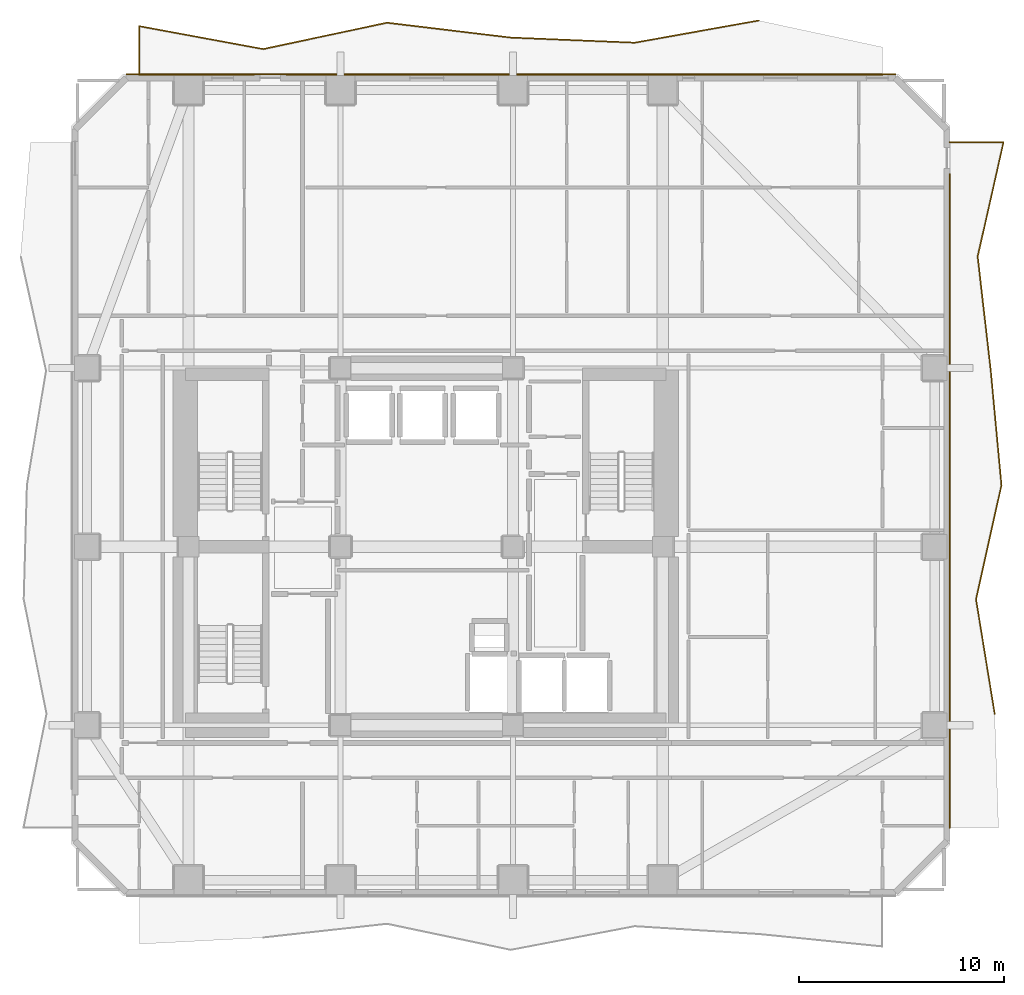
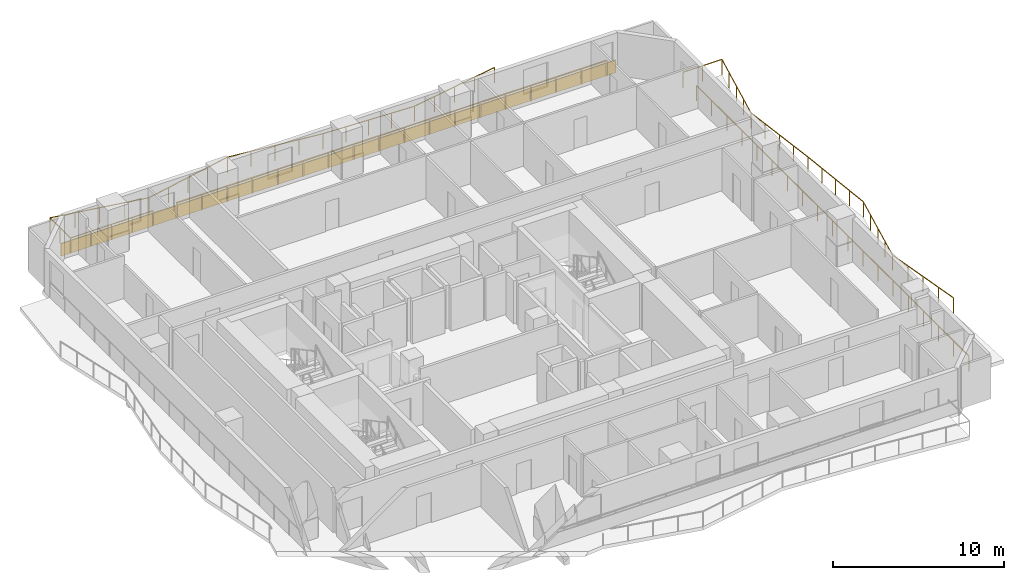
# One storey, part 11 of 11: 4 railings, 1 covering.
"""IFC4 building model written with IfcOpenShell, lengths in metres."""

from ifc_helpers import new_model, si_unit, direction, frame, frame_2d, origin, origin_2d, place, context, subcontext, project, spatial, rectangle, extrude, material, layer, layer_set, type_object, element, save


model = new_model("IFC4")

# Units and contexts
model_context = context("Model", 3, precision=1e-05, world=origin(), true_north=direction((0.0, 1.0)))
body_context = subcontext(model_context, "Body", "Model", "MODEL_VIEW")
ifc_project = project(units=[si_unit("LENGTHUNIT", "METRE"), si_unit("AREAUNIT", "SQUARE_METRE"), si_unit("VOLUMEUNIT", "CUBIC_METRE"), si_unit("PLANEANGLEUNIT", "RADIAN"), si_unit("MASSUNIT", "GRAM", prefix="KILO")], contexts=[model_context])

# Site, building, storey
site_placement = place(None, origin())
site = spatial("IfcSite", under=ifc_project, at=site_placement, CompositionType="ELEMENT")
building_placement = place(site_placement, origin())
building = spatial("IfcBuilding", under=site, at=building_placement, Name="Solanera Arch Residences", CompositionType="ELEMENT")
storey_placement = place(building_placement, frame((0.0, 0.0, 65.159912109375)))
storey = spatial("IfcBuildingStorey", under=building, at=storey_placement, Name="L18", CompositionType="ELEMENT", Elevation=65.159912109375)

# Railings
ifc_material_1 = material(Name="Steel S355 (ASTM A992 / A572 Grade 50)", Category="steel")
railing_type = type_object("IfcRailingType", Name="Balustrade Railing BL-1100", PredefinedType="BALUSTRADE", material=ifc_material_1)
railing_1_placement = place(storey_placement, frame((41.1669921875, 56.33203125, 0.0)))
element("IfcRailing", 1, at=railing_1_placement, inside=storey, type_object=railing_type, Name="L18 N Balcony Balustrade 1", PredefinedType="BALUSTRADE", context=body_context, shape_type="SweptSolid", body=[
    extrude(rectangle(XDim=0.048095703125, YDim=0.048095703125, at=origin_2d()), frame((0.0, 0.0, 1.09619140625), z_axis=(-0.984382002136, -0.176045658484, 0.0), x_axis=(0.176045658484, -0.984382002136, 0.0)), (0.0, 0.0, 1.0), 6.129638671875),
    extrude(rectangle(XDim=0.048095703125, YDim=0.048095703125, at=origin_2d()), frame((-6.033935546875, -1.0791015625, 1.09619140625), z_axis=(-0.999155836472, 0.041080584754, 0.0), x_axis=(-0.041080584754, -0.999155836472, 0.0)), (0.0, 0.0, 1.0), 6.0380859375),
    extrude(rectangle(XDim=0.048095703125, YDim=0.048095703125, at=origin_2d()), frame((-12.06689453125, -0.8310546875, 1.09619140625), z_axis=(-0.992874176617, 0.119167400771, 0.0), x_axis=(-0.119167400771, -0.992874176617, 0.0)), (0.0, 0.0, 1.0), 6.076416015625),
    extrude(rectangle(XDim=0.048095703125, YDim=0.048095703125, at=origin_2d()), frame((-18.10009765625, -0.10693359375, 1.09619140625), z_axis=(-0.97806168867, -0.208315465473, 0.0), x_axis=(0.208315465473, -0.97806168867, 0.0)), (0.0, 0.0, 1.0), 6.169189453125),
    extrude(rectangle(XDim=0.048095703125, YDim=0.048095703125, at=origin_2d()), frame((-24.134033203125, -1.39208984375, 1.09619140625), z_axis=(-0.983289920154, 0.182046513079, 0.0), x_axis=(-0.182046513079, -0.983289920154, 0.0)), (0.0, 0.0, 1.0), 6.135498046875),
    extrude(rectangle(XDim=0.048095703125, YDim=0.048095703125, at=origin_2d()), frame((-30.1669921875, -0.275146484375, 1.09619140625), z_axis=(0.0, -1.0, 0.0), x_axis=(1.0, 0.0, 0.0)), (0.0, 0.0, 1.0), 2.376953125),
    extrude(rectangle(XDim=0.048095703125, YDim=0.048095703125, at=origin_2d()), frame((-30.1669921875, -2.652099609375, 1.09619140625), z_axis=(1.0, 0.0, 0.0), x_axis=(0.0, 1.0, 0.0)), (0.0, 0.0, 1.0), 5.569091796875),
    extrude(rectangle(XDim=0.0419921875, YDim=0.0419921875, at=origin_2d()), origin(), (0.0, 0.0, 1.0), 1.072021484375),
    extrude(rectangle(XDim=0.0419921875, YDim=0.0419921875, at=origin_2d()), frame((-1.508544921875, -0.269775390625, 0.0)), (0.0, 0.0, 1.0), 1.072021484375),
    extrude(rectangle(XDim=0.0419921875, YDim=0.0419921875, at=origin_2d()), frame((-3.01708984375, -0.53955078125, 0.0)), (0.0, 0.0, 1.0), 1.072021484375),
    extrude(rectangle(XDim=0.0419921875, YDim=0.0419921875, at=origin_2d()), frame((-4.525390625, -0.809326171875, 0.0)), (0.0, 0.0, 1.0), 1.072021484375),
    extrude(rectangle(XDim=0.0419921875, YDim=0.0419921875, at=origin_2d()), frame((-6.033935546875, -1.0791015625, 0.0)), (0.0, 0.0, 1.0), 1.072021484375),
    extrude(rectangle(XDim=0.0419921875, YDim=0.0419921875, at=origin_2d()), frame((-7.542236328125, -1.01708984375, 0.0)), (0.0, 0.0, 1.0), 1.072021484375),
    extrude(rectangle(XDim=0.0419921875, YDim=0.0419921875, at=origin_2d()), frame((-9.05029296875, -0.955078125, 0.0)), (0.0, 0.0, 1.0), 1.072021484375),
    extrude(rectangle(XDim=0.0419921875, YDim=0.0419921875, at=origin_2d()), frame((-10.55859375, -0.89306640625, 0.0)), (0.0, 0.0, 1.0), 1.072021484375),
    extrude(rectangle(XDim=0.0419921875, YDim=0.0419921875, at=origin_2d()), frame((-12.06689453125, -0.8310546875, 0.0)), (0.0, 0.0, 1.0), 1.072021484375),
    extrude(rectangle(XDim=0.0419921875, YDim=0.0419921875, at=origin_2d()), frame((-13.5751953125, -0.64990234375, 0.0)), (0.0, 0.0, 1.0), 1.072021484375),
    extrude(rectangle(XDim=0.0419921875, YDim=0.0419921875, at=origin_2d()), frame((-15.08349609375, -0.468994140625, 0.0)), (0.0, 0.0, 1.0), 1.072021484375),
    extrude(rectangle(XDim=0.0419921875, YDim=0.0419921875, at=origin_2d()), frame((-16.591796875, -0.2880859375, 0.0)), (0.0, 0.0, 1.0), 1.072021484375),
    extrude(rectangle(XDim=0.0419921875, YDim=0.0419921875, at=origin_2d()), frame((-18.10009765625, -0.10693359375, 0.0)), (0.0, 0.0, 1.0), 1.072021484375),
    extrude(rectangle(XDim=0.0419921875, YDim=0.0419921875, at=origin_2d()), frame((-19.608642578125, -0.42822265625, 0.0)), (0.0, 0.0, 1.0), 1.072021484375),
    extrude(rectangle(XDim=0.0419921875, YDim=0.0419921875, at=origin_2d()), frame((-21.1171875, -0.74951171875, 0.0)), (0.0, 0.0, 1.0), 1.072021484375),
    extrude(rectangle(XDim=0.0419921875, YDim=0.0419921875, at=origin_2d()), frame((-22.62548828125, -1.07080078125, 0.0)), (0.0, 0.0, 1.0), 1.072021484375),
    extrude(rectangle(XDim=0.0419921875, YDim=0.0419921875, at=origin_2d()), frame((-24.134033203125, -1.39208984375, 0.0)), (0.0, 0.0, 1.0), 1.072021484375),
    extrude(rectangle(XDim=0.0419921875, YDim=0.0419921875, at=origin_2d()), frame((-25.642333984375, -1.11279296875, 0.0)), (0.0, 0.0, 1.0), 1.072021484375),
    extrude(rectangle(XDim=0.0419921875, YDim=0.0419921875, at=origin_2d()), frame((-27.150390625, -0.83349609375, 0.0)), (0.0, 0.0, 1.0), 1.072021484375),
    extrude(rectangle(XDim=0.0419921875, YDim=0.0419921875, at=origin_2d()), frame((-28.65869140625, -0.554443359375, 0.0)), (0.0, 0.0, 1.0), 1.072021484375),
    extrude(rectangle(XDim=0.0419921875, YDim=0.0419921875, at=origin_2d()), frame((-30.1669921875, -0.275146484375, 0.0)), (0.0, 0.0, 1.0), 1.072021484375),
    extrude(rectangle(XDim=0.0419921875, YDim=0.0419921875, at=origin_2d()), frame((-30.1669921875, -1.463623046875, 0.0)), (0.0, 0.0, 1.0), 1.072021484375),
    extrude(rectangle(XDim=0.0419921875, YDim=0.0419921875, at=origin_2d()), frame((-30.1669921875, -2.652099609375, 0.0)), (0.0, 0.0, 1.0), 1.072021484375),
    extrude(rectangle(XDim=0.0419921875, YDim=0.0419921875, at=origin_2d()), frame((-28.774658203125, -2.652099609375, 0.0)), (0.0, 0.0, 1.0), 1.072021484375),
    extrude(rectangle(XDim=0.0419921875, YDim=0.0419921875, at=origin_2d()), frame((-27.38232421875, -2.652099609375, 0.0)), (0.0, 0.0, 1.0), 1.072021484375),
    extrude(rectangle(XDim=0.0419921875, YDim=0.0419921875, at=origin_2d()), frame((-25.990234375, -2.652099609375, 0.0)), (0.0, 0.0, 1.0), 1.072021484375),
    extrude(rectangle(XDim=0.0419921875, YDim=0.0419921875, at=origin_2d()), frame((-24.597900390625, -2.652099609375, 0.0)), (0.0, 0.0, 1.0), 1.072021484375),
])
railing_2_placement = place(storey_placement, frame((18.1689453125, 53.679931640625, 0.0)))
element("IfcRailing", 2, at=railing_2_placement, inside=storey, type_object=railing_type, Name="L18 N Balcony Balustrade 2", PredefinedType="BALUSTRADE", context=body_context, shape_type="SweptSolid", body=[
    extrude(rectangle(XDim=0.048095703125, YDim=0.048095703125, at=origin_2d()), frame((0.0, 0.0, 1.09619140625), z_axis=(1.0, 0.0, 0.0), x_axis=(0.0, 1.0, 0.0)), (0.0, 0.0, 1.0), 29.031005859375),
    extrude(rectangle(XDim=0.0419921875, YDim=0.0419921875, at=origin_2d()), origin(), (0.0, 0.0, 1.0), 1.072021484375),
    extrude(rectangle(XDim=0.0419921875, YDim=0.0419921875, at=origin_2d()), frame((1.707763671875, 0.0, 0.0)), (0.0, 0.0, 1.0), 1.072021484375),
    extrude(rectangle(XDim=0.0419921875, YDim=0.0419921875, at=origin_2d()), frame((3.41552734375, 0.0, 0.0)), (0.0, 0.0, 1.0), 1.072021484375),
    extrude(rectangle(XDim=0.0419921875, YDim=0.0419921875, at=origin_2d()), frame((5.123046875, 0.0, 0.0)), (0.0, 0.0, 1.0), 1.072021484375),
    extrude(rectangle(XDim=0.0419921875, YDim=0.0419921875, at=origin_2d()), frame((6.830810546875, 0.0, 0.0)), (0.0, 0.0, 1.0), 1.072021484375),
    extrude(rectangle(XDim=0.0419921875, YDim=0.0419921875, at=origin_2d()), frame((8.53857421875, 0.0, 0.0)), (0.0, 0.0, 1.0), 1.072021484375),
    extrude(rectangle(XDim=0.0419921875, YDim=0.0419921875, at=origin_2d()), frame((10.246337890625, 0.0, 0.0)), (0.0, 0.0, 1.0), 1.072021484375),
    extrude(rectangle(XDim=0.0419921875, YDim=0.0419921875, at=origin_2d()), frame((11.953857421875, 0.0, 0.0)), (0.0, 0.0, 1.0), 1.072021484375),
    extrude(rectangle(XDim=0.0419921875, YDim=0.0419921875, at=origin_2d()), frame((13.66162109375, 0.0, 0.0)), (0.0, 0.0, 1.0), 1.072021484375),
    extrude(rectangle(XDim=0.0419921875, YDim=0.0419921875, at=origin_2d()), frame((15.369384765625, 0.0, 0.0)), (0.0, 0.0, 1.0), 1.072021484375),
    extrude(rectangle(XDim=0.0419921875, YDim=0.0419921875, at=origin_2d()), frame((17.0771484375, 0.0, 0.0)), (0.0, 0.0, 1.0), 1.072021484375),
    extrude(rectangle(XDim=0.0419921875, YDim=0.0419921875, at=origin_2d()), frame((18.78466796875, 0.0, 0.0)), (0.0, 0.0, 1.0), 1.072021484375),
    extrude(rectangle(XDim=0.0419921875, YDim=0.0419921875, at=origin_2d()), frame((20.492431640625, 0.0, 0.0)), (0.0, 0.0, 1.0), 1.072021484375),
    extrude(rectangle(XDim=0.0419921875, YDim=0.0419921875, at=origin_2d()), frame((22.2001953125, 0.0, 0.0)), (0.0, 0.0, 1.0), 1.072021484375),
    extrude(rectangle(XDim=0.0419921875, YDim=0.0419921875, at=origin_2d()), frame((23.907958984375, 0.0, 0.0)), (0.0, 0.0, 1.0), 1.072021484375),
    extrude(rectangle(XDim=0.0419921875, YDim=0.0419921875, at=origin_2d()), frame((25.615478515625, 0.0, 0.0)), (0.0, 0.0, 1.0), 1.072021484375),
    extrude(rectangle(XDim=0.0419921875, YDim=0.0419921875, at=origin_2d()), frame((27.3232421875, 0.0, 0.0)), (0.0, 0.0, 1.0), 1.072021484375),
    extrude(rectangle(XDim=0.0419921875, YDim=0.0419921875, at=origin_2d()), frame((29.031005859375, 0.0, 0.0)), (0.0, 0.0, 1.0), 1.072021484375),
])
railing_3_placement = place(storey_placement, frame((52.66796875, 22.56689453125, 0.0)))
element("IfcRailing", 3, at=railing_3_placement, inside=storey, type_object=railing_type, Name="L18 E Balcony Balustrade 1", PredefinedType="BALUSTRADE", context=body_context, shape_type="SweptSolid", body=[
    extrude(rectangle(XDim=0.048095703125, YDim=0.048095703125, at=origin_2d()), frame((0.0, 0.0, 1.09619140625), z_axis=(-0.161162016184, 0.986927963197, 0.0), x_axis=(-0.986927963197, -0.161162016184, 0.0)), (0.0, 0.0, 1.0), 5.639892578125),
    extrude(rectangle(XDim=0.048095703125, YDim=0.048095703125, at=origin_2d()), frame((-0.908935546875, 5.566162109375, 1.09619140625), z_axis=(0.217252263931, 0.976115492048, 0.0), x_axis=(-0.976115492048, 0.217252263931, 0.0)), (0.0, 0.0, 1.0), 5.703125),
    extrude(rectangle(XDim=0.048095703125, YDim=0.048095703125, at=origin_2d()), frame((0.330078125, 11.133056640625, 1.09619140625), z_axis=(-0.093177044795, 0.99564955598, 0.0), x_axis=(-0.99564955598, -0.093177044795, 0.0)), (0.0, 0.0, 1.0), 5.591552734375),
    extrude(rectangle(XDim=0.048095703125, YDim=0.048095703125, at=origin_2d()), frame((-0.19091796875, 16.7001953125, 1.09619140625), z_axis=(-0.113697764583, 0.993515384042, 0.0), x_axis=(-0.993515384042, -0.113697764583, 0.0)), (0.0, 0.0, 1.0), 5.602294921875),
    extrude(rectangle(XDim=0.048095703125, YDim=0.048095703125, at=origin_2d()), frame((-0.827880859375, 22.26611328125, 1.09619140625), z_axis=(0.220063906309, 0.975485457165, 0.0), x_axis=(-0.975485457165, 0.220063906309, 0.0)), (0.0, 0.0, 1.0), 5.706787109375),
    extrude(rectangle(XDim=0.048095703125, YDim=0.048095703125, at=origin_2d()), frame((0.427978515625, 27.8330078125, 1.09619140625), z_axis=(-1.0, 0.0, 0.0), x_axis=(0.0, -1.0, 0.0)), (0.0, 0.0, 1.0), 2.615966796875),
    extrude(rectangle(XDim=0.0419921875, YDim=0.0419921875, at=origin_2d()), origin(), (0.0, 0.0, 1.0), 1.072021484375),
    extrude(rectangle(XDim=0.0419921875, YDim=0.0419921875, at=origin_2d()), frame((-0.227294921875, 1.3916015625, 0.0)), (0.0, 0.0, 1.0), 1.072021484375),
    extrude(rectangle(XDim=0.0419921875, YDim=0.0419921875, at=origin_2d()), frame((-0.45458984375, 2.783203125, 0.0)), (0.0, 0.0, 1.0), 1.072021484375),
    extrude(rectangle(XDim=0.0419921875, YDim=0.0419921875, at=origin_2d()), frame((-0.681640625, 4.174560546875, 0.0)), (0.0, 0.0, 1.0), 1.072021484375),
    extrude(rectangle(XDim=0.0419921875, YDim=0.0419921875, at=origin_2d()), frame((-0.908935546875, 5.566162109375, 0.0)), (0.0, 0.0, 1.0), 1.072021484375),
    extrude(rectangle(XDim=0.0419921875, YDim=0.0419921875, at=origin_2d()), frame((-0.59912109375, 6.9580078125, 0.0)), (0.0, 0.0, 1.0), 1.072021484375),
    extrude(rectangle(XDim=0.0419921875, YDim=0.0419921875, at=origin_2d()), frame((-0.28955078125, 8.349609375, 0.0)), (0.0, 0.0, 1.0), 1.072021484375),
    extrude(rectangle(XDim=0.0419921875, YDim=0.0419921875, at=origin_2d()), frame((0.020263671875, 9.7412109375, 0.0)), (0.0, 0.0, 1.0), 1.072021484375),
    extrude(rectangle(XDim=0.0419921875, YDim=0.0419921875, at=origin_2d()), frame((0.330078125, 11.133056640625, 0.0)), (0.0, 0.0, 1.0), 1.072021484375),
    extrude(rectangle(XDim=0.0419921875, YDim=0.0419921875, at=origin_2d()), frame((0.19970703125, 12.52490234375, 0.0)), (0.0, 0.0, 1.0), 1.072021484375),
    extrude(rectangle(XDim=0.0419921875, YDim=0.0419921875, at=origin_2d()), frame((0.069580078125, 13.91650390625, 0.0)), (0.0, 0.0, 1.0), 1.072021484375),
    extrude(rectangle(XDim=0.0419921875, YDim=0.0419921875, at=origin_2d()), frame((-0.060546875, 15.308349609375, 0.0)), (0.0, 0.0, 1.0), 1.072021484375),
    extrude(rectangle(XDim=0.0419921875, YDim=0.0419921875, at=origin_2d()), frame((-0.19091796875, 16.7001953125, 0.0)), (0.0, 0.0, 1.0), 1.072021484375),
    extrude(rectangle(XDim=0.0419921875, YDim=0.0419921875, at=origin_2d()), frame((-0.35009765625, 18.091796875, 0.0)), (0.0, 0.0, 1.0), 1.072021484375),
    extrude(rectangle(XDim=0.0419921875, YDim=0.0419921875, at=origin_2d()), frame((-0.50927734375, 19.483154296875, 0.0)), (0.0, 0.0, 1.0), 1.072021484375),
    extrude(rectangle(XDim=0.0419921875, YDim=0.0419921875, at=origin_2d()), frame((-0.668701171875, 20.87451171875, 0.0)), (0.0, 0.0, 1.0), 1.072021484375),
    extrude(rectangle(XDim=0.0419921875, YDim=0.0419921875, at=origin_2d()), frame((-0.827880859375, 22.26611328125, 0.0)), (0.0, 0.0, 1.0), 1.072021484375),
    extrude(rectangle(XDim=0.0419921875, YDim=0.0419921875, at=origin_2d()), frame((-0.513916015625, 23.65771484375, 0.0)), (0.0, 0.0, 1.0), 1.072021484375),
    extrude(rectangle(XDim=0.0419921875, YDim=0.0419921875, at=origin_2d()), frame((-0.199951171875, 25.049560546875, 0.0)), (0.0, 0.0, 1.0), 1.072021484375),
    extrude(rectangle(XDim=0.0419921875, YDim=0.0419921875, at=origin_2d()), frame((0.114013671875, 26.44140625, 0.0)), (0.0, 0.0, 1.0), 1.072021484375),
    extrude(rectangle(XDim=0.0419921875, YDim=0.0419921875, at=origin_2d()), frame((0.427978515625, 27.8330078125, 0.0)), (0.0, 0.0, 1.0), 1.072021484375),
    extrude(rectangle(XDim=0.0419921875, YDim=0.0419921875, at=origin_2d()), frame((-0.8798828125, 27.8330078125, 0.0)), (0.0, 0.0, 1.0), 1.072021484375),
    extrude(rectangle(XDim=0.0419921875, YDim=0.0419921875, at=origin_2d()), frame((-2.18798828125, 27.8330078125, 0.0)), (0.0, 0.0, 1.0), 1.072021484375),
])
railing_4_placement = place(storey_placement, frame((50.47998046875, 48.833984375, 0.0)))
element("IfcRailing", 4, at=railing_4_placement, inside=storey, type_object=railing_type, Name="L18 E Balcony Balustrade 2", PredefinedType="BALUSTRADE", context=body_context, shape_type="SweptSolid", body=[
    extrude(rectangle(XDim=0.048095703125, YDim=0.048095703125, at=origin_2d()), frame((0.0, 0.0, 1.09619140625), z_axis=(0.0, -1.0, 0.0), x_axis=(1.0, 0.0, 0.0)), (0.0, 0.0, 1.0), 31.833984375),
    extrude(rectangle(XDim=0.0419921875, YDim=0.0419921875, at=origin_2d()), origin(), (0.0, 0.0, 1.0), 1.072021484375),
    extrude(rectangle(XDim=0.0419921875, YDim=0.0419921875, at=origin_2d()), frame((0.0, -1.7685546875, 0.0)), (0.0, 0.0, 1.0), 1.072021484375),
    extrude(rectangle(XDim=0.0419921875, YDim=0.0419921875, at=origin_2d()), frame((0.0, -3.537109375, 0.0)), (0.0, 0.0, 1.0), 1.072021484375),
    extrude(rectangle(XDim=0.0419921875, YDim=0.0419921875, at=origin_2d()), frame((0.0, -5.3056640625, 0.0)), (0.0, 0.0, 1.0), 1.072021484375),
    extrude(rectangle(XDim=0.0419921875, YDim=0.0419921875, at=origin_2d()), frame((0.0, -7.07421875, 0.0)), (0.0, 0.0, 1.0), 1.072021484375),
    extrude(rectangle(XDim=0.0419921875, YDim=0.0419921875, at=origin_2d()), frame((0.0, -8.8427734375, 0.0)), (0.0, 0.0, 1.0), 1.072021484375),
    extrude(rectangle(XDim=0.0419921875, YDim=0.0419921875, at=origin_2d()), frame((0.0, -10.611328125, 0.0)), (0.0, 0.0, 1.0), 1.072021484375),
    extrude(rectangle(XDim=0.0419921875, YDim=0.0419921875, at=origin_2d()), frame((0.0, -12.3798828125, 0.0)), (0.0, 0.0, 1.0), 1.072021484375),
    extrude(rectangle(XDim=0.0419921875, YDim=0.0419921875, at=origin_2d()), frame((0.0, -14.1484375, 0.0)), (0.0, 0.0, 1.0), 1.072021484375),
    extrude(rectangle(XDim=0.0419921875, YDim=0.0419921875, at=origin_2d()), frame((0.0, -15.9169921875, 0.0)), (0.0, 0.0, 1.0), 1.072021484375),
    extrude(rectangle(XDim=0.0419921875, YDim=0.0419921875, at=origin_2d()), frame((0.0, -17.685546875, 0.0)), (0.0, 0.0, 1.0), 1.072021484375),
    extrude(rectangle(XDim=0.0419921875, YDim=0.0419921875, at=origin_2d()), frame((0.0, -19.4541015625, 0.0)), (0.0, 0.0, 1.0), 1.072021484375),
    extrude(rectangle(XDim=0.0419921875, YDim=0.0419921875, at=origin_2d()), frame((0.0, -21.22265625, 0.0)), (0.0, 0.0, 1.0), 1.072021484375),
    extrude(rectangle(XDim=0.0419921875, YDim=0.0419921875, at=origin_2d()), frame((0.0, -22.9912109375, 0.0)), (0.0, 0.0, 1.0), 1.072021484375),
    extrude(rectangle(XDim=0.0419921875, YDim=0.0419921875, at=origin_2d()), frame((0.0, -24.759765625, 0.0)), (0.0, 0.0, 1.0), 1.072021484375),
    extrude(rectangle(XDim=0.0419921875, YDim=0.0419921875, at=origin_2d()), frame((0.0, -26.5283203125, 0.0)), (0.0, 0.0, 1.0), 1.072021484375),
    extrude(rectangle(XDim=0.0419921875, YDim=0.0419921875, at=origin_2d()), frame((0.0, -28.296875, 0.0)), (0.0, 0.0, 1.0), 1.072021484375),
    extrude(rectangle(XDim=0.0419921875, YDim=0.0419921875, at=origin_2d()), frame((0.0, -30.0654296875, 0.0)), (0.0, 0.0, 1.0), 1.072021484375),
    extrude(rectangle(XDim=0.0419921875, YDim=0.0419921875, at=origin_2d()), frame((0.0, -31.833984375, 0.0)), (0.0, 0.0, 1.0), 1.072021484375),
])

# Covering
ifc_material_2 = material(Name="Philippine Adobe Travertine Cladding", Category="masonry")
ifc_layer = layer(ifc_material_2, 0.06005859375)
ifc_layer_set = layer_set([ifc_layer], Name="Philippine Adobe Travertine Cladding")
covering_type = type_object("IfcCoveringType", Name="Precast Pier Stone Cladding CLD-60", PredefinedType="CLADDING", material=ifc_layer_set)
covering_placement = place(storey_placement, frame((10.364990234375, 53.715087890625, 0.0), z_axis=(0.0, 0.0, 1.0), x_axis=(1.0, 0.0, 0.0)))
element("IfcCovering", 5, at=covering_placement, inside=storey, type_object=covering_type, Name="L18 N Precast Spandrel Stone Band", PredefinedType="CLADDING", context=body_context, shape_type="SweptSolid", body=[
    extrude(rectangle(XDim=37.469970703125, YDim=0.06005859375, at=frame_2d((18.73486328125, 0.0))), origin(), (0.0, 0.0, 1.0), 0.900146484375),
])

save(model, "model.ifc")
